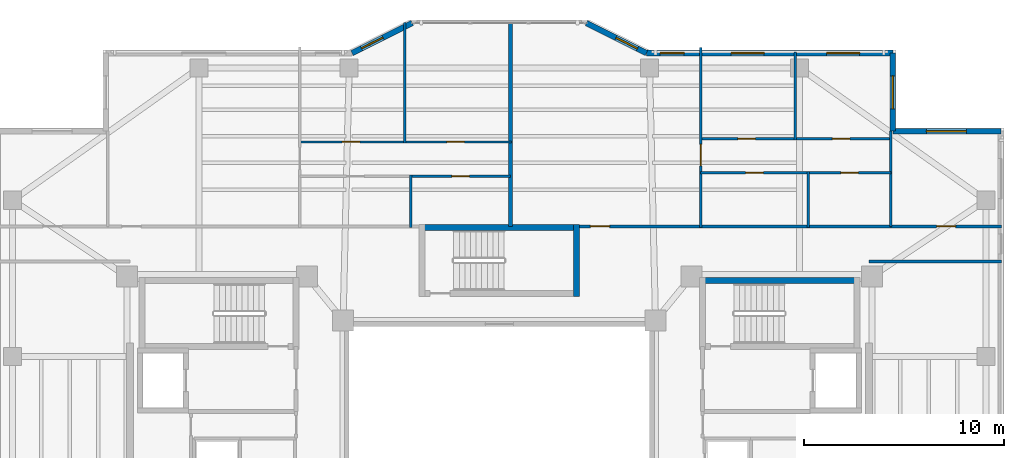
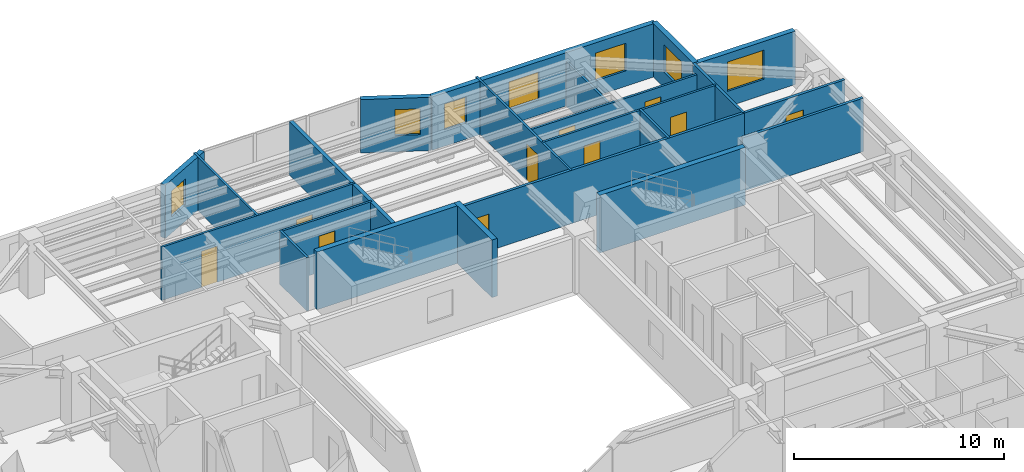
# One storey, part 10 of 15: 23 walls, 10 doors, 7 windows, 17 openings.
"""IFC4 building model written with IfcOpenShell, lengths in metres."""

from ifc_helpers import new_model, si_unit, direction, frame, frame_2d, origin, place, context, subcontext, project, spatial, rectangle, extrude, material, layer, layer_set, type_object, element, fill, save


model = new_model("IFC4")

# Units and contexts
model_context = context("Model", 3, precision=1e-05, world=origin(), true_north=direction((0.0, 1.0)))
body_context = subcontext(model_context, "Body", "Model", "MODEL_VIEW")
ifc_project = project(units=[si_unit("LENGTHUNIT", "METRE"), si_unit("AREAUNIT", "SQUARE_METRE"), si_unit("VOLUMEUNIT", "CUBIC_METRE"), si_unit("PLANEANGLEUNIT", "RADIAN"), si_unit("MASSUNIT", "GRAM", prefix="KILO")], contexts=[model_context])

# Site, building, storey
site_placement = place(None, origin())
site = spatial("IfcSite", under=ifc_project, at=site_placement, CompositionType="ELEMENT")
building_placement = place(site_placement, origin())
building = spatial("IfcBuilding", under=site, at=building_placement, Name="Tarnavaz Court Tower", CompositionType="ELEMENT")
storey_placement = place(building_placement, frame((0.0, 0.0, 159.39990234375)))
storey = spatial("IfcBuildingStorey", under=building, at=storey_placement, Name="L43", CompositionType="ELEMENT", Elevation=159.39990234375)

# Walls
ifc_material_1 = material(Name="Concrete C50/60", Category="concrete")
ifc_layer_1 = layer(ifc_material_1, 0.300048828125)
ifc_layer_set_1 = layer_set([ifc_layer_1], Name="Concrete C50/60")
wall_type_1 = type_object("IfcWallType", Name="WL-CORE-300-C50", PredefinedType="SHEAR", material=ifc_layer_set_1)
for number, where, z_axis, x_axis, name in (
    (1, (10.0, 9.7900390625, 0.0), (0.0, 0.0, 1.0), (1.0, 0.0, 0.0), "L43 East Stair Core Wall 005"),
    (2, (-4.0, 12.43994140625, 0.0), (0.0, 0.0, 1.0), (1.0, 0.0, 0.0), "L43 North Stair Core Wall 009"),
):
    element("IfcWall", number, at=place(storey_placement, frame(where, z_axis=z_axis, x_axis=x_axis)), inside=storey, type_object=wall_type_1, Name=name, PredefinedType="SHEAR", context=body_context, shape_type="SweptSolid", body=[
        extrude(rectangle(XDim=8.0, YDim=0.300048828125, at=frame_2d((4.0, 0.0))), origin(), (0.0, 0.0, 1.0), 3.35009765625),
    ])
wall_1_placement = place(storey_placement, frame((3.85009765625, 9.0, 0.0), z_axis=(0.0, 0.0, 1.0), x_axis=(0.0, 1.0, 0.0)))
element("IfcWall", 3, at=wall_1_placement, inside=storey, type_object=wall_type_1, Name="L43 North Stair Core Wall 012", PredefinedType="SHEAR", context=body_context, shape_type="SweptSolid", body=[
    extrude(rectangle(XDim=3.590087890625, YDim=0.300048828125, at=frame_2d((1.794921875, 0.0))), origin(), (0.0, 0.0, 1.0), 3.35009765625),
])

# Wall, opening, window
ifc_material_2 = material(Name="Precast Concrete C40/50", Category="concrete")
ifc_layer_2 = layer(ifc_material_2, 0.280029296875)
ifc_layer_set_2 = layer_set([ifc_layer_2], Name="Precast Concrete C40/50")
wall_type_2 = type_object("IfcWallType", Name="WL-EXT-280", PredefinedType="SOLIDWALL", material=ifc_layer_set_2)
wall_2_placement = place(storey_placement, frame((-7.35009765625, 21.14990234375, 0.0), z_axis=(0.0, 0.0, 1.0), x_axis=(0.894427191, 0.4472135955, 0.0)))
wall_2 = element("IfcWall", 4, at=wall_2_placement, inside=storey, type_object=wall_type_2, Name="L43 Exterior Terracotta Facade Wall 06", PredefinedType="SOLIDWALL", context=body_context, shape_type="SweptSolid", body=[
    extrude(rectangle(XDim=3.35400390625, YDim=0.280029296875, at=frame_2d((1.677001953125, 0.0))), origin(), (0.0, 0.0, 1.0), 3.10009765625),
])
opening_1_placement = place(wall_2_placement, frame((0.521240234375, 0.0, 0.949951171875)))
opening_1 = element("IfcOpeningElement", 5, at=opening_1_placement, cuts=wall_2, Name="Opening W05", PredefinedType="OPENING", context=body_context, shape_type="SweptSolid", body=[
    extrude(rectangle(XDim=1.199951171875, YDim=1.5, at=frame_2d((0.60009765625, 0.75))), frame((0.0, 0.14990234375, 0.0), z_axis=(0.0, -1.0, 0.0), x_axis=(1.0, 0.0, 0.0)), (0.0, 0.0, 1.0), 0.300048828125),
])
ifc_material_3 = material(Name="Double-Glazed Solar Low-E Glass", Category="glass")
window_type_1 = type_object("IfcWindowType", Name="WN-APT-1200", PartitioningType="SINGLE_PANEL", PredefinedType="WINDOW", material=ifc_material_3)
window_1_placement = place(opening_1_placement, origin())
window_1 = element("IfcWindow", 6, at=window_1_placement, inside=storey, type_object=window_type_1, Name="L43 Flat 01 Principal Bedroom Window", OverallHeight=1.5, OverallWidth=1.199951171875, PartitioningType="SINGLE_PANEL", PredefinedType="WINDOW", context=body_context, shape_type="SweptSolid", body=[
    extrude(rectangle(XDim=1.199951171875, YDim=1.5, at=frame_2d((0.60009765625, 0.75))), frame((0.0, 0.030029296875, 0.0), z_axis=(0.0, -1.0, 0.0), x_axis=(1.0, 0.0, 0.0)), (0.0, 0.0, 1.0), 0.06005859375),
])
fill(opening_1, window_1)

wall_3_placement = place(storey_placement, frame((4.35009765625, 22.64990234375, 0.0), z_axis=(0.0, 0.0, 1.0), x_axis=(0.894427191, -0.4472135955, 0.0)))
wall_3 = element("IfcWall", 7, at=wall_3_placement, inside=storey, type_object=wall_type_2, Name="L43 Exterior Terracotta Facade Wall 08", PredefinedType="SOLIDWALL", context=body_context, shape_type="SweptSolid", body=[
    extrude(rectangle(XDim=3.35400390625, YDim=0.280029296875, at=frame_2d((1.677001953125, 0.0))), origin(), (0.0, 0.0, 1.0), 3.10009765625),
])
opening_2_placement = place(wall_3_placement, frame((1.65283203125, 0.0, 0.949951171875)))
opening_2 = element("IfcOpeningElement", 8, at=opening_2_placement, cuts=wall_3, Name="Opening W05", PredefinedType="OPENING", context=body_context, shape_type="SweptSolid", body=[
    extrude(rectangle(XDim=1.199951171875, YDim=1.5, at=frame_2d((0.60009765625, 0.75))), frame((0.0, 0.14990234375, 0.0), z_axis=(0.0, -1.0, 0.0), x_axis=(1.0, 0.0, 0.0)), (0.0, 0.0, 1.0), 0.300048828125),
])
window_2_placement = place(opening_2_placement, origin())
window_2 = element("IfcWindow", 9, at=window_2_placement, inside=storey, type_object=window_type_1, Name="L43 Flat 02 Living and Dining Room Window", OverallHeight=1.5, OverallWidth=1.199951171875, PartitioningType="SINGLE_PANEL", PredefinedType="WINDOW", context=body_context, shape_type="SweptSolid", body=[
    extrude(rectangle(XDim=1.199951171875, YDim=1.5, at=frame_2d((0.60009765625, 0.75))), frame((0.0, 0.030029296875, 0.0), z_axis=(0.0, -1.0, 0.0), x_axis=(1.0, 0.0, 0.0)), (0.0, 0.0, 1.0), 0.06005859375),
])
fill(opening_2, window_2)

# Wall, openings, windows
wall_4_placement = place(storey_placement, frame((7.35009765625, 21.14990234375, 0.0), z_axis=(0.0, 0.0, 1.0), x_axis=(1.0, 0.0, 0.0)))
wall_4 = element("IfcWall", 10, at=wall_4_placement, inside=storey, type_object=wall_type_2, Name="L43 Exterior Terracotta Facade Wall 09", PredefinedType="SOLIDWALL", context=body_context, shape_type="SweptSolid", body=[
    extrude(rectangle(XDim=12.2998046875, YDim=0.280029296875, at=frame_2d((6.14990234375, 0.0))), origin(), (0.0, 0.0, 1.0), 3.10009765625),
])
opening_3_placement = place(wall_4_placement, frame((0.68017578125, 0.0, 0.949951171875)))
opening_3 = element("IfcOpeningElement", 11, at=opening_3_placement, cuts=wall_4, Name="Opening W05", PredefinedType="OPENING", context=body_context, shape_type="SweptSolid", body=[
    extrude(rectangle(XDim=1.199951171875, YDim=1.5, at=frame_2d((0.60009765625, 0.75))), frame((0.0, 0.14990234375, 0.0), z_axis=(0.0, -1.0, 0.0), x_axis=(1.0, 0.0, 0.0)), (0.0, 0.0, 1.0), 0.300048828125),
])
opening_4_placement = place(wall_4_placement, frame((4.220458984375, 0.0, 0.89990234375)))
opening_4 = element("IfcOpeningElement", 12, at=opening_4_placement, cuts=wall_4, Name="Opening W02", PredefinedType="OPENING", context=body_context, shape_type="SweptSolid", body=[
    extrude(rectangle(XDim=1.64990234375, YDim=1.60009765625, at=frame_2d((0.824951171875, 0.800048828125))), frame((0.0, 0.14990234375, 0.0), z_axis=(0.0, -1.0, 0.0), x_axis=(1.0, 0.0, 0.0)), (0.0, 0.0, 1.0), 0.300048828125),
])
opening_5_placement = place(wall_4_placement, frame((8.989990234375, 0.0, 0.89990234375)))
opening_5 = element("IfcOpeningElement", 13, at=opening_5_placement, cuts=wall_4, Name="Opening W02", PredefinedType="OPENING", context=body_context, shape_type="SweptSolid", body=[
    extrude(rectangle(XDim=1.64990234375, YDim=1.60009765625, at=frame_2d((0.824951171875, 0.800048828125))), frame((0.0, 0.14990234375, 0.0), z_axis=(0.0, -1.0, 0.0), x_axis=(1.0, 0.0, 0.0)), (0.0, 0.0, 1.0), 0.300048828125),
])
window_3_placement = place(opening_3_placement, origin())
window_3 = element("IfcWindow", 14, at=window_3_placement, inside=storey, type_object=window_type_1, Name="L43 Flat 02 Living and Dining Room Window", OverallHeight=1.5, OverallWidth=1.199951171875, PartitioningType="SINGLE_PANEL", PredefinedType="WINDOW", context=body_context, shape_type="SweptSolid", body=[
    extrude(rectangle(XDim=1.199951171875, YDim=1.5, at=frame_2d((0.60009765625, 0.75))), frame((0.0, 0.030029296875, 0.0), z_axis=(0.0, -1.0, 0.0), x_axis=(1.0, 0.0, 0.0)), (0.0, 0.0, 1.0), 0.06005859375),
])
fill(opening_3, window_3)
window_type_2 = type_object("IfcWindowType", Name="WN-APT-1650", PartitioningType="DOUBLE_PANEL_VERTICAL", PredefinedType="WINDOW", material=ifc_material_3)
window_4_placement = place(opening_4_placement, origin())
window_4 = element("IfcWindow", 15, at=window_4_placement, inside=storey, type_object=window_type_2, Name="L43 Flat 02 Principal Bedroom Window", OverallHeight=1.60009765625, OverallWidth=1.64990234375, PartitioningType="SINGLE_PANEL", PredefinedType="WINDOW", context=body_context, shape_type="SweptSolid", body=[
    extrude(rectangle(XDim=1.64990234375, YDim=1.60009765625, at=frame_2d((0.824951171875, 0.800048828125))), frame((0.0, 0.030029296875, 0.0), z_axis=(0.0, -1.0, 0.0), x_axis=(1.0, 0.0, 0.0)), (0.0, 0.0, 1.0), 0.06005859375),
])
fill(opening_4, window_4)
window_5_placement = place(opening_5_placement, origin())
window_5 = element("IfcWindow", 16, at=window_5_placement, inside=storey, type_object=window_type_2, Name="L43 Flat 02 Bedroom 2 Window", OverallHeight=1.60009765625, OverallWidth=1.64990234375, PartitioningType="SINGLE_PANEL", PredefinedType="WINDOW", context=body_context, shape_type="SweptSolid", body=[
    extrude(rectangle(XDim=1.64990234375, YDim=1.60009765625, at=frame_2d((0.824951171875, 0.800048828125))), frame((0.0, 0.030029296875, 0.0), z_axis=(0.0, -1.0, 0.0), x_axis=(1.0, 0.0, 0.0)), (0.0, 0.0, 1.0), 0.06005859375),
])
fill(opening_5, window_5)

# Wall, opening, window
wall_5_placement = place(storey_placement, frame((19.64990234375, 21.14990234375, 0.0), z_axis=(0.0, 0.0, 1.0), x_axis=(0.0, -1.0, 0.0)))
wall_5 = element("IfcWall", 17, at=wall_5_placement, inside=storey, type_object=wall_type_2, Name="L43 Exterior Terracotta Facade Wall 10", PredefinedType="SOLIDWALL", context=body_context, shape_type="SweptSolid", body=[
    extrude(rectangle(XDim=3.89990234375, YDim=0.280029296875, at=frame_2d((1.949951171875, 0.0))), origin(), (0.0, 0.0, 1.0), 3.10009765625),
])
opening_6_placement = place(wall_5_placement, frame((1.142822265625, 0.0, 0.89990234375)))
opening_6 = element("IfcOpeningElement", 18, at=opening_6_placement, cuts=wall_5, Name="Opening W02", PredefinedType="OPENING", context=body_context, shape_type="SweptSolid", body=[
    extrude(rectangle(XDim=1.64990234375, YDim=1.60009765625, at=frame_2d((0.824951171875, 0.800048828125))), frame((0.0, 0.14990234375, 0.0), z_axis=(0.0, -1.0, 0.0), x_axis=(1.0, 0.0, 0.0)), (0.0, 0.0, 1.0), 0.300048828125),
])
window_6_placement = place(opening_6_placement, origin())
window_6 = element("IfcWindow", 19, at=window_6_placement, inside=storey, type_object=window_type_2, Name="L43 Flat 02 Bedroom 2 Window", OverallHeight=1.60009765625, OverallWidth=1.64990234375, PartitioningType="SINGLE_PANEL", PredefinedType="WINDOW", context=body_context, shape_type="SweptSolid", body=[
    extrude(rectangle(XDim=1.64990234375, YDim=1.60009765625, at=frame_2d((0.824951171875, 0.800048828125))), frame((0.0, 0.030029296875, 0.0), z_axis=(0.0, -1.0, 0.0), x_axis=(1.0, 0.0, 0.0)), (0.0, 0.0, 1.0), 0.06005859375),
])
fill(opening_6, window_6)

wall_6_placement = place(storey_placement, frame((19.64990234375, 17.25, 0.0), z_axis=(0.0, 0.0, 1.0), x_axis=(1.0, 0.0, 0.0)))
wall_6 = element("IfcWall", 20, at=wall_6_placement, inside=storey, type_object=wall_type_2, Name="L43 Exterior Terracotta Facade Wall 11", PredefinedType="SOLIDWALL", context=body_context, shape_type="SweptSolid", body=[
    extrude(rectangle(XDim=5.400146484375, YDim=0.280029296875, at=frame_2d((2.7001953125, 0.0))), origin(), (0.0, 0.0, 1.0), 3.10009765625),
])
opening_7_placement = place(wall_6_placement, frame((1.675048828125, 0.0, 0.89990234375)))
opening_7 = element("IfcOpeningElement", 21, at=opening_7_placement, cuts=wall_6, Name="Opening W08", PredefinedType="OPENING", context=body_context, shape_type="SweptSolid", body=[
    extrude(rectangle(XDim=2.0, YDim=1.699951171875, at=frame_2d((1.0, 0.85009765625))), frame((0.0, 0.14990234375, 0.0), z_axis=(0.0, -1.0, 0.0), x_axis=(1.0, 0.0, 0.0)), (0.0, 0.0, 1.0), 0.300048828125),
])
window_type_3 = type_object("IfcWindowType", Name="WN-APT-2000", PartitioningType="DOUBLE_PANEL_VERTICAL", PredefinedType="WINDOW", material=ifc_material_3)
window_7_placement = place(opening_7_placement, origin())
window_7 = element("IfcWindow", 22, at=window_7_placement, inside=storey, type_object=window_type_3, Name="L43 North-East Corner Sunroom Study Window", OverallHeight=1.699951171875, OverallWidth=2.0, PartitioningType="SINGLE_PANEL", PredefinedType="WINDOW", context=body_context, shape_type="SweptSolid", body=[
    extrude(rectangle(XDim=2.0, YDim=1.699951171875, at=frame_2d((1.0, 0.85009765625))), frame((0.0, 0.030029296875, 0.0), z_axis=(0.0, -1.0, 0.0), x_axis=(1.0, 0.0, 0.0)), (0.0, 0.0, 1.0), 0.06005859375),
])
fill(opening_7, window_7)

# Wall, opening, door
ifc_material_4 = material(Name="Gypsum Fire-Board on Acoustic Metal Stud", Category="masonry")
ifc_layer_3 = layer(ifc_material_4, 0.14990234375)
ifc_layer_set_3 = layer_set([ifc_layer_3], Name="Gypsum Fire-Board on Acoustic Metal Stud")
wall_type_3 = type_object("IfcWallType", Name="WL-FIRE-150", PredefinedType="PARTITIONING", material=ifc_layer_set_3)
wall_7_placement = place(storey_placement, frame((3.85009765625, 12.5, 0.0), z_axis=(0.0, 0.0, 1.0), x_axis=(1.0, 0.0, 0.0)))
wall_7 = element("IfcWall", 23, at=wall_7_placement, inside=storey, type_object=wall_type_3, Name="L43 NE Wing Corridor Wall 072", PredefinedType="PARTITIONING", context=body_context, shape_type="SweptSolid", body=[
    extrude(rectangle(XDim=15.699951171875, YDim=0.14990234375, at=frame_2d((7.85009765625, 0.0))), origin(), (0.0, 0.0, 1.0), 3.10009765625),
])
opening_8_placement = place(wall_7_placement, frame((0.699951171875, 0.0, 0.0)))
opening_8 = element("IfcOpeningElement", 24, at=opening_8_placement, cuts=wall_7, Name="Opening D06", PredefinedType="OPENING", context=body_context, shape_type="SweptSolid", body=[
    extrude(rectangle(XDim=0.9599609375, YDim=2.14990234375, at=frame_2d((0.47998046875, 1.074951171875))), frame((0.0, 0.0849609375, 0.0), z_axis=(0.0, -1.0, 0.0), x_axis=(1.0, 0.0, 0.0)), (0.0, 0.0, 1.0), 0.169921875),
])
ifc_material_5 = material(Name="Fire-Rated Hardwood Timber Core", Category="wood")
door_type_1 = type_object("IfcDoorType", Name="DR-FD60-950", OperationType="NOTDEFINED", PredefinedType="DOOR", material=ifc_material_5)
door_1_placement = place(opening_8_placement, origin())
door_1 = element("IfcDoor", 25, at=door_1_placement, inside=storey, type_object=door_type_1, Name="L43 Flat 02 Entrance Door", OperationType="SINGLE_SWING_LEFT", OverallHeight=2.14990234375, OverallWidth=0.9599609375, PredefinedType="DOOR", context=body_context, shape_type="SweptSolid", body=[
    extrude(rectangle(XDim=0.9599609375, YDim=2.14990234375, at=frame_2d((0.47998046875, 1.074951171875))), frame((0.0, 0.02490234375, 0.0), z_axis=(0.0, -1.0, 0.0), x_axis=(1.0, 0.0, 0.0)), (0.0, 0.0, 1.0), 0.050048828125),
])
fill(opening_8, door_1)

# Wall
wall_8_placement = place(storey_placement, frame((18.449951171875, 10.75, 0.0), z_axis=(0.0, 0.0, 1.0), x_axis=(1.0, 0.0, 0.0)))
element("IfcWall", 26, at=wall_8_placement, inside=storey, type_object=wall_type_3, Name="L43 Interior Partition 112", PredefinedType="PARTITIONING", context=body_context, shape_type="SweptSolid", body=[
    extrude(rectangle(XDim=6.630126953125, YDim=0.14990234375, at=frame_2d((3.31494140625, 0.0))), origin(), (0.0, 0.0, 1.0), 3.10009765625),
])

# Wall, opening, door
wall_9_placement = place(storey_placement, frame((19.550048828125, 12.5, 0.0), z_axis=(0.0, 0.0, 1.0), x_axis=(1.0, 0.0, 0.0)))
wall_9 = element("IfcWall", 27, at=wall_9_placement, inside=storey, type_object=wall_type_3, Name="L43 Interior Partition 118", PredefinedType="PARTITIONING", context=body_context, shape_type="SweptSolid", body=[
    extrude(rectangle(XDim=5.530029296875, YDim=0.14990234375, at=frame_2d((2.76513671875, 0.0))), origin(), (0.0, 0.0, 1.0), 3.10009765625),
])
opening_9_placement = place(wall_9_placement, frame((2.2900390625, 0.0, 0.0)))
opening_9 = element("IfcOpeningElement", 28, at=opening_9_placement, cuts=wall_9, Name="Opening D13", PredefinedType="OPENING", context=body_context, shape_type="SweptSolid", body=[
    extrude(rectangle(XDim=0.949951171875, YDim=2.14990234375, at=frame_2d((0.47509765625, 1.074951171875))), frame((0.0, 0.0849609375, 0.0), z_axis=(0.0, -1.0, 0.0), x_axis=(1.0, 0.0, 0.0)), (0.0, 0.0, 1.0), 0.169921875),
])
ifc_material_6 = material(Name="Engineered Oak Timber", Category="wood")
door_type_2 = type_object("IfcDoorType", Name="DR-INT-950", OperationType="NOTDEFINED", PredefinedType="DOOR", material=ifc_material_6)
door_2_placement = place(opening_9_placement, origin())
door_2 = element("IfcDoor", 29, at=door_2_placement, inside=storey, type_object=door_type_2, Name="L43 NE Sunroom Door", OperationType="SINGLE_SWING_RIGHT", OverallHeight=2.14990234375, OverallWidth=0.949951171875, PredefinedType="DOOR", context=body_context, shape_type="SweptSolid", body=[
    extrude(rectangle(XDim=0.949951171875, YDim=2.14990234375, at=frame_2d((0.47509765625, 1.074951171875))), frame((0.0, 0.02490234375, 0.0), z_axis=(0.0, -1.0, 0.0), x_axis=(1.0, 0.0, 0.0)), (0.0, 0.0, 1.0), 0.050048828125),
])
fill(opening_9, door_2)

# Wall
ifc_material_7 = material(Name="Autoclaved Aerated Concrete Blockwork", Category="masonry")
ifc_layer_4 = layer(ifc_material_7, 0.199951171875)
ifc_layer_set_4 = layer_set([ifc_layer_4], Name="Autoclaved Aerated Concrete Blockwork")
wall_type_4 = type_object("IfcWallType", Name="WL-FIRE-200", PredefinedType="SOLIDWALL", material=ifc_layer_set_4)
wall_10_placement = place(storey_placement, frame((0.550048828125, 12.5, 0.0), z_axis=(0.0, 0.0, 1.0), x_axis=(0.0, 1.0, 0.0)))
element("IfcWall", 30, at=wall_10_placement, inside=storey, type_object=wall_type_4, Name="L43 North Center Party Wall 075", PredefinedType="SOLIDWALL", context=body_context, shape_type="SweptSolid", body=[
    extrude(rectangle(XDim=10.179931640625, YDim=0.199951171875, at=frame_2d((5.08984375, 0.0))), origin(), (0.0, 0.0, 1.0), 3.10009765625),
])

# Wall, opening, door
ifc_material_8 = material(Name="Moisture-Resistant Gypsum Board Partition", Category="masonry")
ifc_layer_5 = layer(ifc_material_8, 0.1201171875)
ifc_layer_set_5 = layer_set([ifc_layer_5], Name="Moisture-Resistant Gypsum Board Partition")
wall_type_5 = type_object("IfcWallType", Name="WL-PART-120", PredefinedType="PARTITIONING", material=ifc_layer_set_5)
wall_11_placement = place(storey_placement, frame((-4.4189453125, 15.0, 0.0), z_axis=(0.0, 0.0, 1.0), x_axis=(1.0, 0.0, 0.0)))
wall_11 = element("IfcWall", 31, at=wall_11_placement, inside=storey, type_object=wall_type_5, Name="L43 Interior Partition 078", PredefinedType="PARTITIONING", context=body_context, shape_type="SweptSolid", body=[
    extrude(rectangle(XDim=4.968994140625, YDim=0.1201171875, at=frame_2d((2.484375, 0.0))), origin(), (0.0, 0.0, 1.0), 3.10009765625),
])
opening_10_placement = place(wall_11_placement, frame((2.0439453125, 0.0, 0.0)))
opening_10 = element("IfcOpeningElement", 32, at=opening_10_placement, cuts=wall_11, Name="Opening D14", PredefinedType="OPENING", context=body_context, shape_type="SweptSolid", body=[
    extrude(rectangle(XDim=0.8798828125, YDim=2.10009765625, at=frame_2d((0.43994140625, 1.050048828125))), frame((0.0, 0.070068359375, 0.0), z_axis=(0.0, -1.0, 0.0), x_axis=(1.0, 0.0, 0.0)), (0.0, 0.0, 1.0), 0.14013671875),
])
door_type_3 = type_object("IfcDoorType", Name="DR-INT-900", OperationType="NOTDEFINED", PredefinedType="DOOR", material=ifc_material_6)
door_3_placement = place(opening_10_placement, origin())
door_3 = element("IfcDoor", 33, at=door_3_placement, inside=storey, type_object=door_type_3, Name="L43 Flat 01 Bathroom Door", OperationType="SINGLE_SWING_RIGHT", OverallHeight=2.10009765625, OverallWidth=0.8798828125, PredefinedType="DOOR", context=body_context, shape_type="SweptSolid", body=[
    extrude(rectangle(XDim=0.8798828125, YDim=2.10009765625, at=frame_2d((0.43994140625, 1.050048828125))), frame((0.0, 0.02490234375, 0.0), z_axis=(0.0, -1.0, 0.0), x_axis=(1.0, 0.0, 0.0)), (0.0, 0.0, 1.0), 0.050048828125),
])
fill(opening_10, door_3)

# Wall, openings, doors
wall_12_placement = place(storey_placement, frame((-10.014892578125, 16.7099609375, 0.0), z_axis=(0.0, 0.0, 1.0), x_axis=(1.0, 0.0, 0.0)))
wall_12 = element("IfcWall", 34, at=wall_12_placement, inside=storey, type_object=wall_type_5, Name="L43 Interior Partition 079", PredefinedType="PARTITIONING", context=body_context, shape_type="SweptSolid", body=[
    extrude(rectangle(XDim=10.625, YDim=0.1201171875, at=frame_2d((5.3125, 0.0))), origin(), (0.0, 0.0, 1.0), 3.10009765625),
])
opening_11_placement = place(wall_12_placement, frame((2.1708984375, 0.0, 0.0)))
opening_11 = element("IfcOpeningElement", 35, at=opening_11_placement, cuts=wall_12, Name="Opening D14", PredefinedType="OPENING", context=body_context, shape_type="SweptSolid", body=[
    extrude(rectangle(XDim=0.8798828125, YDim=2.10009765625, at=frame_2d((0.43994140625, 1.050048828125))), frame((0.0, 0.070068359375, 0.0), z_axis=(0.0, -1.0, 0.0), x_axis=(1.0, 0.0, 0.0)), (0.0, 0.0, 1.0), 0.14013671875),
])
opening_12_placement = place(wall_12_placement, frame((7.39404296875, 0.0, 0.0)))
opening_12 = element("IfcOpeningElement", 36, at=opening_12_placement, cuts=wall_12, Name="Opening D14", PredefinedType="OPENING", context=body_context, shape_type="SweptSolid", body=[
    extrude(rectangle(XDim=0.8798828125, YDim=2.10009765625, at=frame_2d((0.43994140625, 1.050048828125))), frame((0.0, 0.070068359375, 0.0), z_axis=(0.0, -1.0, 0.0), x_axis=(1.0, 0.0, 0.0)), (0.0, 0.0, 1.0), 0.14013671875),
])
door_4_placement = place(opening_11_placement, origin())
door_4 = element("IfcDoor", 37, at=door_4_placement, inside=storey, type_object=door_type_3, Name="L43 Flat 01 Bedroom 1 Door", OperationType="SINGLE_SWING_LEFT", OverallHeight=2.10009765625, OverallWidth=0.8798828125, PredefinedType="DOOR", context=body_context, shape_type="SweptSolid", body=[
    extrude(rectangle(XDim=0.8798828125, YDim=2.10009765625, at=frame_2d((0.43994140625, 1.050048828125))), frame((0.0, 0.02490234375, 0.0), z_axis=(0.0, -1.0, 0.0), x_axis=(1.0, 0.0, 0.0)), (0.0, 0.0, 1.0), 0.050048828125),
])
fill(opening_11, door_4)
door_5_placement = place(opening_12_placement, origin())
door_5 = element("IfcDoor", 38, at=door_5_placement, inside=storey, type_object=door_type_3, Name="L43 Flat 01 Bedroom 2 Door", OperationType="SINGLE_SWING_RIGHT", OverallHeight=2.10009765625, OverallWidth=0.8798828125, PredefinedType="DOOR", context=body_context, shape_type="SweptSolid", body=[
    extrude(rectangle(XDim=0.8798828125, YDim=2.10009765625, at=frame_2d((0.43994140625, 1.050048828125))), frame((0.0, 0.02490234375, 0.0), z_axis=(0.0, -1.0, 0.0), x_axis=(1.0, 0.0, 0.0)), (0.0, 0.0, 1.0), 0.050048828125),
])
fill(opening_12, door_5)

# Walls
wall_13_placement = place(storey_placement, frame((-4.4189453125, 12.43994140625, 0.0), z_axis=(0.0, 0.0, 1.0), x_axis=(0.0, 1.0, 0.0)))
element("IfcWall", 39, at=wall_13_placement, inside=storey, type_object=wall_type_5, Name="L43 Interior Partition 080", PredefinedType="PARTITIONING", context=body_context, shape_type="SweptSolid", body=[
    extrude(rectangle(XDim=2.6201171875, YDim=0.1201171875, at=frame_2d((1.31005859375, 0.0))), origin(), (0.0, 0.0, 1.0), 3.10009765625),
])
wall_14_placement = place(storey_placement, frame((-4.73193359375, 16.64990234375, 0.0), z_axis=(0.0, 0.0, 1.0), x_axis=(0.0, 1.0, 0.0)))
element("IfcWall", 40, at=wall_14_placement, inside=storey, type_object=wall_type_5, Name="L43 Interior Partition 081", PredefinedType="PARTITIONING", context=body_context, shape_type="SweptSolid", body=[
    extrude(rectangle(XDim=6.030029296875, YDim=0.1201171875, at=frame_2d((3.01513671875, 0.0))), origin(), (0.0, 0.0, 1.0), 3.10009765625),
])

# Wall, opening, door
wall_15_placement = place(storey_placement, frame((10.050048828125, 12.43994140625, 0.0), z_axis=(0.0, 0.0, 1.0), x_axis=(0.0, 1.0, 0.0)))
wall_15 = element("IfcWall", 41, at=wall_15_placement, inside=storey, type_object=wall_type_5, Name="L43 Interior Partition 082", PredefinedType="PARTITIONING", context=body_context, shape_type="SweptSolid", body=[
    extrude(rectangle(XDim=8.994140625, YDim=0.1201171875, at=frame_2d((4.4970703125, 0.0))), origin(), (0.0, 0.0, 1.0), 3.10009765625),
])
opening_13_placement = place(wall_15_placement, frame((3.074951171875, 0.0, 0.0)))
opening_13 = element("IfcOpeningElement", 42, at=opening_13_placement, cuts=wall_15, Name="Opening D12", PredefinedType="OPENING", context=body_context, shape_type="SweptSolid", body=[
    extrude(rectangle(XDim=1.080078125, YDim=2.14990234375, at=frame_2d((0.5400390625, 1.074951171875))), frame((0.0, 0.070068359375, 0.0), z_axis=(0.0, -1.0, 0.0), x_axis=(1.0, 0.0, 0.0)), (0.0, 0.0, 1.0), 0.14013671875),
])
door_type_4 = type_object("IfcDoorType", Name="DR-INT-1100", OperationType="NOTDEFINED", PredefinedType="DOOR", material=ifc_material_6)
door_6_placement = place(opening_13_placement, origin())
door_6 = element("IfcDoor", 43, at=door_6_placement, inside=storey, type_object=door_type_4, Name="L43 Flat 02 Foyer Door", OperationType="SINGLE_SWING_RIGHT", OverallHeight=2.14990234375, OverallWidth=1.080078125, PredefinedType="DOOR", context=body_context, shape_type="SweptSolid", body=[
    extrude(rectangle(XDim=1.080078125, YDim=2.14990234375, at=frame_2d((0.5400390625, 1.074951171875))), frame((0.0, 0.02490234375, 0.0), z_axis=(0.0, -1.0, 0.0), x_axis=(1.0, 0.0, 0.0)), (0.0, 0.0, 1.0), 0.050048828125),
])
fill(opening_13, door_6)

wall_16_placement = place(storey_placement, frame((10.050048828125, 15.169921875, 0.0), z_axis=(0.0, 0.0, 1.0), x_axis=(1.0, 0.0, 0.0)))
wall_16 = element("IfcWall", 44, at=wall_16_placement, inside=storey, type_object=wall_type_5, Name="L43 Interior Partition 083", PredefinedType="PARTITIONING", context=body_context, shape_type="SweptSolid", body=[
    extrude(rectangle(XDim=5.380859375, YDim=0.1201171875, at=frame_2d((2.6904296875, 0.0))), origin(), (0.0, 0.0, 1.0), 3.10009765625),
])
opening_14_placement = place(wall_16_placement, frame((2.25, 0.0, 0.0)))
opening_14 = element("IfcOpeningElement", 45, at=opening_14_placement, cuts=wall_16, Name="Opening D14", PredefinedType="OPENING", context=body_context, shape_type="SweptSolid", body=[
    extrude(rectangle(XDim=0.8798828125, YDim=2.10009765625, at=frame_2d((0.43994140625, 1.050048828125))), frame((0.0, 0.070068359375, 0.0), z_axis=(0.0, -1.0, 0.0), x_axis=(1.0, 0.0, 0.0)), (0.0, 0.0, 1.0), 0.14013671875),
])
door_7_placement = place(opening_14_placement, origin())
door_7 = element("IfcDoor", 46, at=door_7_placement, inside=storey, type_object=door_type_3, Name="L43 Flat 02 Kitchen Door", OperationType="SINGLE_SWING_LEFT", OverallHeight=2.10009765625, OverallWidth=0.8798828125, PredefinedType="DOOR", context=body_context, shape_type="SweptSolid", body=[
    extrude(rectangle(XDim=0.8798828125, YDim=2.10009765625, at=frame_2d((0.43994140625, 1.050048828125))), frame((0.0, 0.02490234375, 0.0), z_axis=(0.0, -1.0, 0.0), x_axis=(1.0, 0.0, 0.0)), (0.0, 0.0, 1.0), 0.050048828125),
])
fill(opening_14, door_7)

wall_17_placement = place(storey_placement, frame((15.430908203125, 15.169921875, 0.0), z_axis=(0.0, 0.0, 1.0), x_axis=(1.0, 0.0, 0.0)))
wall_17 = element("IfcWall", 47, at=wall_17_placement, inside=storey, type_object=wall_type_5, Name="L43 Interior Partition 084", PredefinedType="PARTITIONING", context=body_context, shape_type="SweptSolid", body=[
    extrude(rectangle(XDim=4.119140625, YDim=0.1201171875, at=frame_2d((2.0595703125, 0.0))), origin(), (0.0, 0.0, 1.0), 3.10009765625),
])
opening_15_placement = place(wall_17_placement, frame((1.6201171875, 0.0, 0.0)))
opening_15 = element("IfcOpeningElement", 48, at=opening_15_placement, cuts=wall_17, Name="Opening D14", PredefinedType="OPENING", context=body_context, shape_type="SweptSolid", body=[
    extrude(rectangle(XDim=0.8798828125, YDim=2.10009765625, at=frame_2d((0.43994140625, 1.050048828125))), frame((0.0, 0.070068359375, 0.0), z_axis=(0.0, -1.0, 0.0), x_axis=(1.0, 0.0, 0.0)), (0.0, 0.0, 1.0), 0.14013671875),
])
door_8_placement = place(opening_15_placement, origin())
door_8 = element("IfcDoor", 49, at=door_8_placement, inside=storey, type_object=door_type_3, Name="L43 Flat 02 Bathroom Door", OperationType="SINGLE_SWING_RIGHT", OverallHeight=2.10009765625, OverallWidth=0.8798828125, PredefinedType="DOOR", context=body_context, shape_type="SweptSolid", body=[
    extrude(rectangle(XDim=0.8798828125, YDim=2.10009765625, at=frame_2d((0.43994140625, 1.050048828125))), frame((0.0, 0.02490234375, 0.0), z_axis=(0.0, -1.0, 0.0), x_axis=(1.0, 0.0, 0.0)), (0.0, 0.0, 1.0), 0.050048828125),
])
fill(opening_15, door_8)

# Wall, openings, doors
wall_18_placement = place(storey_placement, frame((9.989990234375, 16.8798828125, 0.0), z_axis=(0.0, 0.0, 1.0), x_axis=(1.0, 0.0, 0.0)))
wall_18 = element("IfcWall", 50, at=wall_18_placement, inside=storey, type_object=wall_type_5, Name="L43 Interior Partition 085", PredefinedType="PARTITIONING", context=body_context, shape_type="SweptSolid", body=[
    extrude(rectangle(XDim=9.6201171875, YDim=0.1201171875, at=frame_2d((4.81005859375, 0.0))), origin(), (0.0, 0.0, 1.0), 2.68505859375),
])
opening_16_placement = place(wall_18_placement, frame((1.919921875, 0.0, 0.0)))
opening_16 = element("IfcOpeningElement", 51, at=opening_16_placement, cuts=wall_18, Name="Opening D14", PredefinedType="OPENING", context=body_context, shape_type="SweptSolid", body=[
    extrude(rectangle(XDim=0.8798828125, YDim=2.10009765625, at=frame_2d((0.43994140625, 1.050048828125))), frame((0.0, 0.070068359375, 0.0), z_axis=(0.0, -1.0, 0.0), x_axis=(1.0, 0.0, 0.0)), (0.0, 0.0, 1.0), 0.14013671875),
])
opening_17_placement = place(wall_18_placement, frame((6.639892578125, 0.0, 0.0)))
opening_17 = element("IfcOpeningElement", 52, at=opening_17_placement, cuts=wall_18, Name="Opening D14", PredefinedType="OPENING", context=body_context, shape_type="SweptSolid", body=[
    extrude(rectangle(XDim=0.8798828125, YDim=2.10009765625, at=frame_2d((0.43994140625, 1.050048828125))), frame((0.0, 0.070068359375, 0.0), z_axis=(0.0, -1.0, 0.0), x_axis=(1.0, 0.0, 0.0)), (0.0, 0.0, 1.0), 0.14013671875),
])
door_9_placement = place(opening_16_placement, origin())
door_9 = element("IfcDoor", 53, at=door_9_placement, inside=storey, type_object=door_type_3, Name="L43 Flat 02 Bedroom 1 Door", OperationType="SINGLE_SWING_LEFT", OverallHeight=2.10009765625, OverallWidth=0.8798828125, PredefinedType="DOOR", context=body_context, shape_type="SweptSolid", body=[
    extrude(rectangle(XDim=0.8798828125, YDim=2.10009765625, at=frame_2d((0.43994140625, 1.050048828125))), frame((0.0, 0.02490234375, 0.0), z_axis=(0.0, -1.0, 0.0), x_axis=(1.0, 0.0, 0.0)), (0.0, 0.0, 1.0), 0.050048828125),
])
fill(opening_16, door_9)
door_10_placement = place(opening_17_placement, origin())
door_10 = element("IfcDoor", 54, at=door_10_placement, inside=storey, type_object=door_type_3, Name="L43 Flat 02 Bedroom 2 Door", OperationType="SINGLE_SWING_RIGHT", OverallHeight=2.10009765625, OverallWidth=0.8798828125, PredefinedType="DOOR", context=body_context, shape_type="SweptSolid", body=[
    extrude(rectangle(XDim=0.8798828125, YDim=2.10009765625, at=frame_2d((0.43994140625, 1.050048828125))), frame((0.0, 0.02490234375, 0.0), z_axis=(0.0, -1.0, 0.0), x_axis=(1.0, 0.0, 0.0)), (0.0, 0.0, 1.0), 0.050048828125),
])
fill(opening_17, door_10)

# Walls
wall_19_placement = place(storey_placement, frame((15.430908203125, 12.43994140625, 0.0), z_axis=(0.0, 0.0, 1.0), x_axis=(0.0, 1.0, 0.0)))
element("IfcWall", 55, at=wall_19_placement, inside=storey, type_object=wall_type_5, Name="L43 Interior Partition 086", PredefinedType="PARTITIONING", context=body_context, shape_type="SweptSolid", body=[
    extrude(rectangle(XDim=2.7900390625, YDim=0.1201171875, at=frame_2d((1.39501953125, 0.0))), origin(), (0.0, 0.0, 1.0), 3.10009765625),
])
wall_20_placement = place(storey_placement, frame((14.77001953125, 16.820068359375, 0.0), z_axis=(0.0, 0.0, 1.0), x_axis=(0.0, 1.0, 0.0)))
element("IfcWall", 56, at=wall_20_placement, inside=storey, type_object=wall_type_5, Name="L43 Interior Partition 087", PredefinedType="PARTITIONING", context=body_context, shape_type="SweptSolid", body=[
    extrude(rectangle(XDim=4.3798828125, YDim=0.1201171875, at=frame_2d((2.18994140625, 0.0))), origin(), (0.0, 0.0, 1.0), 2.585205078125),
])
ifc_material_9 = material(Name="Gypsum Plasterboard Acoustic Partition", Category="masonry")
ifc_layer_6 = layer(ifc_material_9, 0.139892578125)
ifc_layer_set_6 = layer_set([ifc_layer_6], Name="Gypsum Plasterboard Acoustic Partition")
wall_type_6 = type_object("IfcWallType", Name="WL-PART-150", PredefinedType="PARTITIONING", material=ifc_layer_set_6)
wall_21_placement = place(storey_placement, frame((19.550048828125, 12.5, 0.0), z_axis=(0.0, 0.0, 1.0), x_axis=(0.0, 1.0, 0.0)))
element("IfcWall", 57, at=wall_21_placement, inside=storey, type_object=wall_type_6, Name="L43 Interior Partition 116", PredefinedType="PARTITIONING", context=body_context, shape_type="SweptSolid", body=[
    extrude(rectangle(XDim=4.75, YDim=0.139892578125, at=frame_2d((2.375, 0.0))), origin(), (0.0, 0.0, 1.0), 3.10009765625),
])

save(model, "model.ifc")
